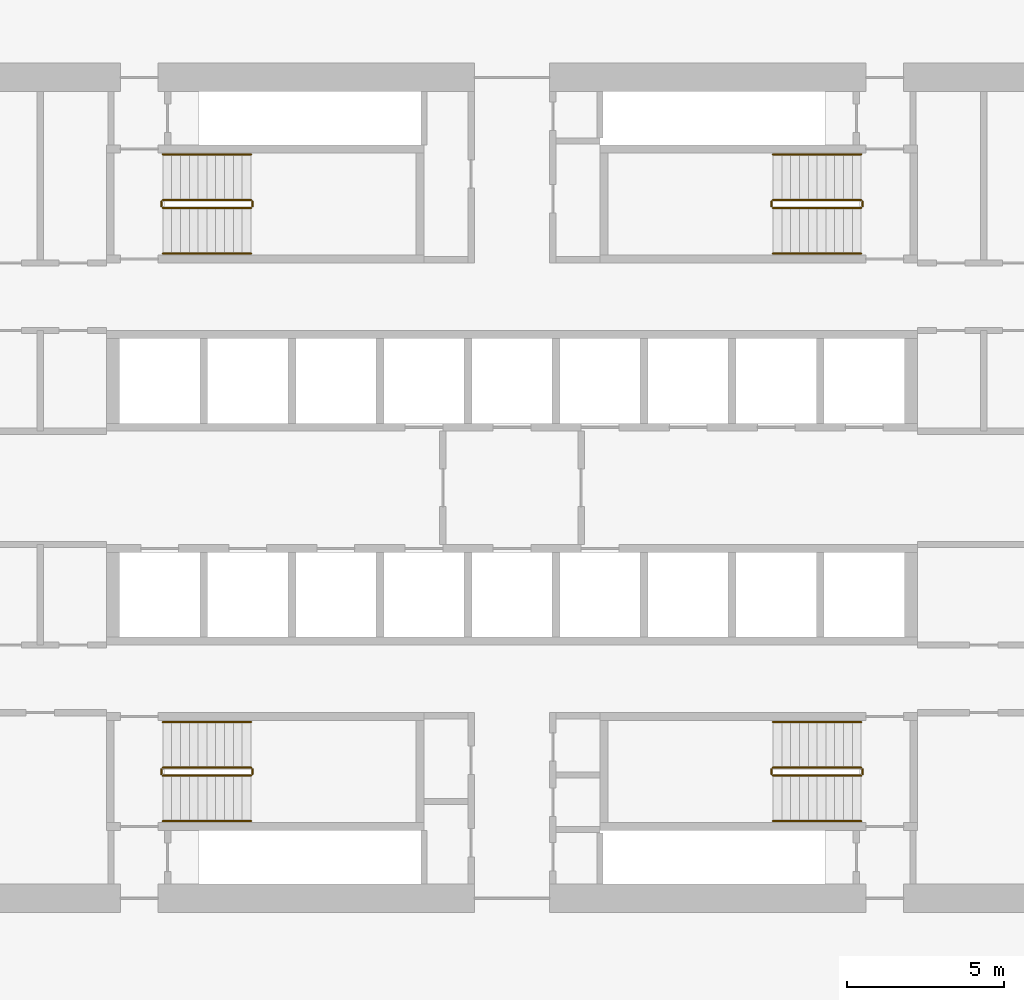
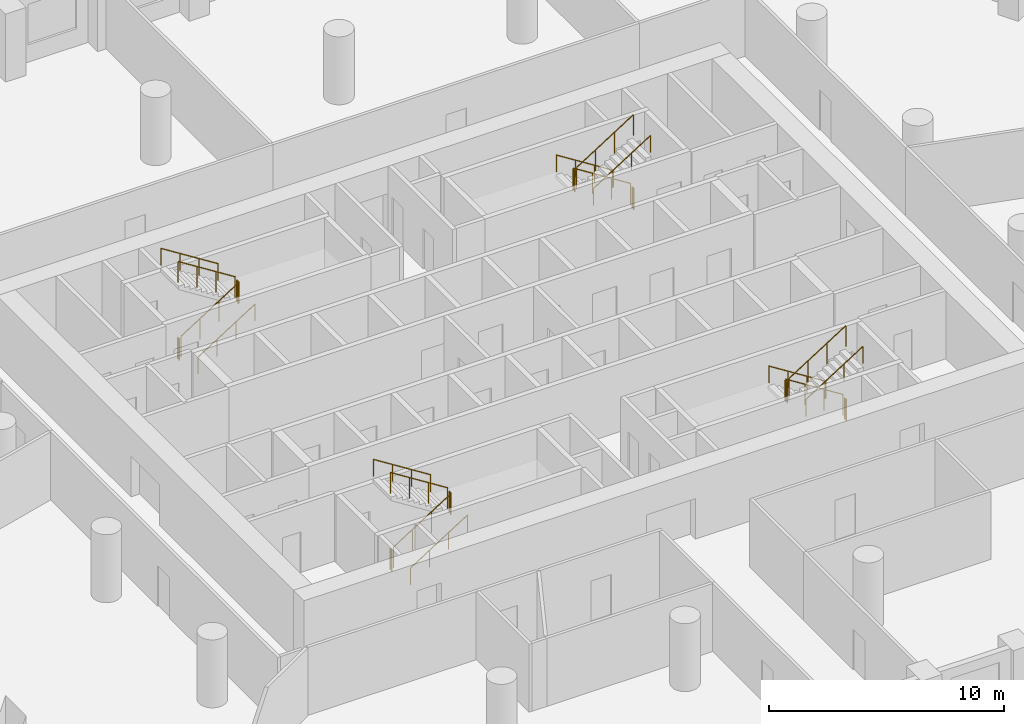
# One storey, part 9 of 9: 24 railings.
"""IFC4 building model written with IfcOpenShell, lengths in metres."""

from ifc_helpers import new_model, si_unit, direction, frame, origin, origin_2d, place, context, subcontext, project, spatial, circle, extrude, material, type_object, element, save


model = new_model("IFC4")

# Units and contexts
model_context = context("Model", 3, precision=1e-05, world=origin(), true_north=direction((0.0, 1.0)))
body_context = subcontext(model_context, "Body", "Model", "MODEL_VIEW")
ifc_project = project(units=[si_unit("LENGTHUNIT", "METRE"), si_unit("AREAUNIT", "SQUARE_METRE"), si_unit("VOLUMEUNIT", "CUBIC_METRE"), si_unit("PLANEANGLEUNIT", "RADIAN"), si_unit("MASSUNIT", "GRAM", prefix="KILO")], contexts=[model_context])

# Site, building, storey
site_placement = place(None, origin())
site = spatial("IfcSite", under=ifc_project, at=site_placement, CompositionType="ELEMENT")
building_placement = place(site_placement, origin())
building = spatial("IfcBuilding", under=site, at=building_placement, Name="Dhurran Vertical Campus", CompositionType="ELEMENT")
storey_placement = place(building_placement, frame((0.0, 0.0, 116.39990234375)))
storey = spatial("IfcBuildingStorey", under=building, at=storey_placement, Name="L28", CompositionType="ELEMENT", Elevation=116.39990234375)

# Railings
ifc_material_1 = material(Name="Stainless steel balustrade", Category="steel")
railing_type_1 = type_object("IfcRailingType", Name="co-RL-GUARD-1100", PredefinedType="GUARDRAIL", material=ifc_material_1)
railing_1_placement = place(storey_placement, frame((-11.10009765625, 8.89990234375, 0.177490234375)))
element("IfcRailing", 1, at=railing_1_placement, inside=storey, type_object=railing_type_1, Name="L28 ST1 stair guard 1", PredefinedType="GUARDRAIL", context=body_context, shape_type="SweptSolid", body=[
    extrude(circle(Radius=0.02392578125, at=origin_2d()), frame((0.0, 0.0, 1.076171875), z_axis=(0.844908973607, 0.0, 0.534910110503), x_axis=(0.0, 1.0, 0.0)), (0.0, 0.0, 1.0), 3.31396484375),
    extrude(circle(Radius=0.02099609375, at=origin_2d()), origin(), (0.0, 0.0, 1.0), 1.052001953125),
    extrude(circle(Radius=0.02099609375, at=origin_2d()), frame((0.933349609375, 0.0, 0.5908203125)), (0.0, 0.0, 1.0), 1.052001953125),
    extrude(circle(Radius=0.02099609375, at=origin_2d()), frame((1.86669921875, 0.0, 1.181884765625)), (0.0, 0.0, 1.0), 1.052001953125),
    extrude(circle(Radius=0.02099609375, at=origin_2d()), frame((2.800048828125, 0.0, 1.772705078125)), (0.0, 0.0, 1.0), 1.052001953125),
])
railing_2_placement = place(storey_placement, frame((-8.25, 8.949951171875, 1.9501953125)))
element("IfcRailing", 2, at=railing_2_placement, inside=storey, type_object=railing_type_1, Name="L28 ST1 stair guard 2", PredefinedType="GUARDRAIL", context=body_context, shape_type="SweptSolid", body=[
    extrude(circle(Radius=0.02392578125, at=origin_2d()), frame((0.0, 0.0, 1.076171875), z_axis=(0.0, 1.0, 0.0), x_axis=(-1.0, 0.0, 0.0)), (0.0, 0.0, 1.0), 0.150146484375),
    extrude(circle(Radius=0.02099609375, at=origin_2d()), origin(), (0.0, 0.0, 1.0), 1.052001953125),
    extrude(circle(Radius=0.02099609375, at=origin_2d()), frame((0.0, 0.150146484375, 0.0)), (0.0, 0.0, 1.0), 1.052001953125),
])
railing_3_placement = place(storey_placement, frame((-8.300048828125, 9.14990234375, 2.12744140625)))
element("IfcRailing", 3, at=railing_3_placement, inside=storey, type_object=railing_type_1, Name="L28 ST1 stair guard 3", PredefinedType="GUARDRAIL", context=body_context, shape_type="SweptSolid", body=[
    extrude(circle(Radius=0.02392578125, at=origin_2d()), frame((0.0, 0.0, 1.076171875), z_axis=(-0.844908973607, 0.0, 0.534910110503), x_axis=(0.0, -1.0, 0.0)), (0.0, 0.0, 1.0), 3.31396484375),
    extrude(circle(Radius=0.02099609375, at=origin_2d()), origin(), (0.0, 0.0, 1.0), 1.052001953125),
    extrude(circle(Radius=0.02099609375, at=origin_2d()), frame((-0.933349609375, 0.0, 0.5908203125)), (0.0, 0.0, 1.0), 1.052001953125),
    extrude(circle(Radius=0.02099609375, at=origin_2d()), frame((-1.86669921875, 0.0, 1.181884765625)), (0.0, 0.0, 1.0), 1.052001953125),
    extrude(circle(Radius=0.02099609375, at=origin_2d()), frame((-2.800048828125, 0.0, 1.772705078125)), (0.0, 0.0, 1.0), 1.052001953125),
])
railing_4_placement = place(storey_placement, frame((-11.14990234375, 8.949951171875, 0.0)))
element("IfcRailing", 4, at=railing_4_placement, inside=storey, type_object=railing_type_1, Name="L28 ST1 stair guard 4", PredefinedType="GUARDRAIL", context=body_context, shape_type="SweptSolid", body=[
    extrude(circle(Radius=0.02392578125, at=origin_2d()), frame((0.0, 0.0, 1.076171875), z_axis=(0.0, 1.0, 0.0), x_axis=(-1.0, 0.0, 0.0)), (0.0, 0.0, 1.0), 0.150146484375),
    extrude(circle(Radius=0.02099609375, at=origin_2d()), origin(), (0.0, 0.0, 1.0), 1.052001953125),
    extrude(circle(Radius=0.02099609375, at=origin_2d()), frame((0.0, 0.150146484375, 0.0)), (0.0, 0.0, 1.0), 1.052001953125),
])
railing_5_placement = place(storey_placement, frame((11.10009765625, 9.14990234375, 0.177490234375)))
element("IfcRailing", 5, at=railing_5_placement, inside=storey, type_object=railing_type_1, Name="L28 ST2 stair guard 1", PredefinedType="GUARDRAIL", context=body_context, shape_type="SweptSolid", body=[
    extrude(circle(Radius=0.02392578125, at=origin_2d()), frame((0.0, 0.0, 1.076171875), z_axis=(-0.844908973607, 0.0, 0.534910110503), x_axis=(0.0, -1.0, 0.0)), (0.0, 0.0, 1.0), 3.31396484375),
    extrude(circle(Radius=0.02099609375, at=origin_2d()), origin(), (0.0, 0.0, 1.0), 1.052001953125),
    extrude(circle(Radius=0.02099609375, at=origin_2d()), frame((-0.933349609375, 0.0, 0.5908203125)), (0.0, 0.0, 1.0), 1.052001953125),
    extrude(circle(Radius=0.02099609375, at=origin_2d()), frame((-1.86669921875, 0.0, 1.181884765625)), (0.0, 0.0, 1.0), 1.052001953125),
    extrude(circle(Radius=0.02099609375, at=origin_2d()), frame((-2.800048828125, 0.0, 1.772705078125)), (0.0, 0.0, 1.0), 1.052001953125),
])
railing_6_placement = place(storey_placement, frame((8.25, 9.10009765625, 1.9501953125)))
element("IfcRailing", 6, at=railing_6_placement, inside=storey, type_object=railing_type_1, Name="L28 ST2 stair guard 2", PredefinedType="GUARDRAIL", context=body_context, shape_type="SweptSolid", body=[
    extrude(circle(Radius=0.02392578125, at=origin_2d()), frame((0.0, 0.0, 1.076171875), z_axis=(0.0, -1.0, 0.0), x_axis=(1.0, 0.0, 0.0)), (0.0, 0.0, 1.0), 0.150146484375),
    extrude(circle(Radius=0.02099609375, at=origin_2d()), origin(), (0.0, 0.0, 1.0), 1.052001953125),
    extrude(circle(Radius=0.02099609375, at=origin_2d()), frame((0.0, -0.150146484375, 0.0)), (0.0, 0.0, 1.0), 1.052001953125),
])
railing_7_placement = place(storey_placement, frame((8.300048828125, 8.89990234375, 2.12744140625)))
element("IfcRailing", 7, at=railing_7_placement, inside=storey, type_object=railing_type_1, Name="L28 ST2 stair guard 3", PredefinedType="GUARDRAIL", context=body_context, shape_type="SweptSolid", body=[
    extrude(circle(Radius=0.02392578125, at=origin_2d()), frame((0.0, 0.0, 1.076171875), z_axis=(0.844908973607, 0.0, 0.534910110503), x_axis=(0.0, 1.0, 0.0)), (0.0, 0.0, 1.0), 3.31396484375),
    extrude(circle(Radius=0.02099609375, at=origin_2d()), origin(), (0.0, 0.0, 1.0), 1.052001953125),
    extrude(circle(Radius=0.02099609375, at=origin_2d()), frame((0.933349609375, 0.0, 0.5908203125)), (0.0, 0.0, 1.0), 1.052001953125),
    extrude(circle(Radius=0.02099609375, at=origin_2d()), frame((1.86669921875, 0.0, 1.181884765625)), (0.0, 0.0, 1.0), 1.052001953125),
    extrude(circle(Radius=0.02099609375, at=origin_2d()), frame((2.800048828125, 0.0, 1.772705078125)), (0.0, 0.0, 1.0), 1.052001953125),
])
railing_8_placement = place(storey_placement, frame((11.14990234375, 9.10009765625, 0.0)))
element("IfcRailing", 8, at=railing_8_placement, inside=storey, type_object=railing_type_1, Name="L28 ST2 stair guard 4", PredefinedType="GUARDRAIL", context=body_context, shape_type="SweptSolid", body=[
    extrude(circle(Radius=0.02392578125, at=origin_2d()), frame((0.0, 0.0, 1.076171875), z_axis=(0.0, -1.0, 0.0), x_axis=(1.0, 0.0, 0.0)), (0.0, 0.0, 1.0), 0.150146484375),
    extrude(circle(Radius=0.02099609375, at=origin_2d()), origin(), (0.0, 0.0, 1.0), 1.052001953125),
    extrude(circle(Radius=0.02099609375, at=origin_2d()), frame((0.0, -0.150146484375, 0.0)), (0.0, 0.0, 1.0), 1.052001953125),
])
railing_9_placement = place(storey_placement, frame((-11.10009765625, -9.14990234375, 0.177490234375)))
element("IfcRailing", 9, at=railing_9_placement, inside=storey, type_object=railing_type_1, Name="L28 ST3 stair guard 1", PredefinedType="GUARDRAIL", context=body_context, shape_type="SweptSolid", body=[
    extrude(circle(Radius=0.02392578125, at=origin_2d()), frame((0.0, 0.0, 1.076171875), z_axis=(0.844908973607, 0.0, 0.534910110503), x_axis=(0.0, 1.0, 0.0)), (0.0, 0.0, 1.0), 3.31396484375),
    extrude(circle(Radius=0.02099609375, at=origin_2d()), origin(), (0.0, 0.0, 1.0), 1.052001953125),
    extrude(circle(Radius=0.02099609375, at=origin_2d()), frame((0.933349609375, 0.0, 0.5908203125)), (0.0, 0.0, 1.0), 1.052001953125),
    extrude(circle(Radius=0.02099609375, at=origin_2d()), frame((1.86669921875, 0.0, 1.181884765625)), (0.0, 0.0, 1.0), 1.052001953125),
    extrude(circle(Radius=0.02099609375, at=origin_2d()), frame((2.800048828125, 0.0, 1.772705078125)), (0.0, 0.0, 1.0), 1.052001953125),
])
railing_10_placement = place(storey_placement, frame((-8.25, -9.10009765625, 1.9501953125)))
element("IfcRailing", 10, at=railing_10_placement, inside=storey, type_object=railing_type_1, Name="L28 ST3 stair guard 2", PredefinedType="GUARDRAIL", context=body_context, shape_type="SweptSolid", body=[
    extrude(circle(Radius=0.02392578125, at=origin_2d()), frame((0.0, 0.0, 1.076171875), z_axis=(0.0, 1.0, 0.0), x_axis=(-1.0, 0.0, 0.0)), (0.0, 0.0, 1.0), 0.150146484375),
    extrude(circle(Radius=0.02099609375, at=origin_2d()), origin(), (0.0, 0.0, 1.0), 1.052001953125),
    extrude(circle(Radius=0.02099609375, at=origin_2d()), frame((0.0, 0.150146484375, 0.0)), (0.0, 0.0, 1.0), 1.052001953125),
])
railing_11_placement = place(storey_placement, frame((-8.300048828125, -8.89990234375, 2.12744140625)))
element("IfcRailing", 11, at=railing_11_placement, inside=storey, type_object=railing_type_1, Name="L28 ST3 stair guard 3", PredefinedType="GUARDRAIL", context=body_context, shape_type="SweptSolid", body=[
    extrude(circle(Radius=0.02392578125, at=origin_2d()), frame((0.0, 0.0, 1.076171875), z_axis=(-0.844908973607, 0.0, 0.534910110503), x_axis=(0.0, -1.0, 0.0)), (0.0, 0.0, 1.0), 3.31396484375),
    extrude(circle(Radius=0.02099609375, at=origin_2d()), origin(), (0.0, 0.0, 1.0), 1.052001953125),
    extrude(circle(Radius=0.02099609375, at=origin_2d()), frame((-0.933349609375, 0.0, 0.5908203125)), (0.0, 0.0, 1.0), 1.052001953125),
    extrude(circle(Radius=0.02099609375, at=origin_2d()), frame((-1.86669921875, 0.0, 1.181884765625)), (0.0, 0.0, 1.0), 1.052001953125),
    extrude(circle(Radius=0.02099609375, at=origin_2d()), frame((-2.800048828125, 0.0, 1.772705078125)), (0.0, 0.0, 1.0), 1.052001953125),
])
railing_12_placement = place(storey_placement, frame((-11.14990234375, -9.10009765625, 0.0)))
element("IfcRailing", 12, at=railing_12_placement, inside=storey, type_object=railing_type_1, Name="L28 ST3 stair guard 4", PredefinedType="GUARDRAIL", context=body_context, shape_type="SweptSolid", body=[
    extrude(circle(Radius=0.02392578125, at=origin_2d()), frame((0.0, 0.0, 1.076171875), z_axis=(0.0, 1.0, 0.0), x_axis=(-1.0, 0.0, 0.0)), (0.0, 0.0, 1.0), 0.150146484375),
    extrude(circle(Radius=0.02099609375, at=origin_2d()), origin(), (0.0, 0.0, 1.0), 1.052001953125),
    extrude(circle(Radius=0.02099609375, at=origin_2d()), frame((0.0, 0.150146484375, 0.0)), (0.0, 0.0, 1.0), 1.052001953125),
])
railing_13_placement = place(storey_placement, frame((11.10009765625, -8.89990234375, 0.177490234375)))
element("IfcRailing", 13, at=railing_13_placement, inside=storey, type_object=railing_type_1, Name="L28 ST4 stair guard 1", PredefinedType="GUARDRAIL", context=body_context, shape_type="SweptSolid", body=[
    extrude(circle(Radius=0.02392578125, at=origin_2d()), frame((0.0, 0.0, 1.076171875), z_axis=(-0.844908973607, 0.0, 0.534910110503), x_axis=(0.0, -1.0, 0.0)), (0.0, 0.0, 1.0), 3.31396484375),
    extrude(circle(Radius=0.02099609375, at=origin_2d()), origin(), (0.0, 0.0, 1.0), 1.052001953125),
    extrude(circle(Radius=0.02099609375, at=origin_2d()), frame((-0.933349609375, 0.0, 0.5908203125)), (0.0, 0.0, 1.0), 1.052001953125),
    extrude(circle(Radius=0.02099609375, at=origin_2d()), frame((-1.86669921875, 0.0, 1.181884765625)), (0.0, 0.0, 1.0), 1.052001953125),
    extrude(circle(Radius=0.02099609375, at=origin_2d()), frame((-2.800048828125, 0.0, 1.772705078125)), (0.0, 0.0, 1.0), 1.052001953125),
])
railing_14_placement = place(storey_placement, frame((8.25, -8.949951171875, 1.9501953125)))
element("IfcRailing", 14, at=railing_14_placement, inside=storey, type_object=railing_type_1, Name="L28 ST4 stair guard 2", PredefinedType="GUARDRAIL", context=body_context, shape_type="SweptSolid", body=[
    extrude(circle(Radius=0.02392578125, at=origin_2d()), frame((0.0, 0.0, 1.076171875), z_axis=(0.0, -1.0, 0.0), x_axis=(1.0, 0.0, 0.0)), (0.0, 0.0, 1.0), 0.150146484375),
    extrude(circle(Radius=0.02099609375, at=origin_2d()), origin(), (0.0, 0.0, 1.0), 1.052001953125),
    extrude(circle(Radius=0.02099609375, at=origin_2d()), frame((0.0, -0.150146484375, 0.0)), (0.0, 0.0, 1.0), 1.052001953125),
])
railing_15_placement = place(storey_placement, frame((8.300048828125, -9.14990234375, 2.12744140625)))
element("IfcRailing", 15, at=railing_15_placement, inside=storey, type_object=railing_type_1, Name="L28 ST4 stair guard 3", PredefinedType="GUARDRAIL", context=body_context, shape_type="SweptSolid", body=[
    extrude(circle(Radius=0.02392578125, at=origin_2d()), frame((0.0, 0.0, 1.076171875), z_axis=(0.844908973607, 0.0, 0.534910110503), x_axis=(0.0, 1.0, 0.0)), (0.0, 0.0, 1.0), 3.31396484375),
    extrude(circle(Radius=0.02099609375, at=origin_2d()), origin(), (0.0, 0.0, 1.0), 1.052001953125),
    extrude(circle(Radius=0.02099609375, at=origin_2d()), frame((0.933349609375, 0.0, 0.5908203125)), (0.0, 0.0, 1.0), 1.052001953125),
    extrude(circle(Radius=0.02099609375, at=origin_2d()), frame((1.86669921875, 0.0, 1.181884765625)), (0.0, 0.0, 1.0), 1.052001953125),
    extrude(circle(Radius=0.02099609375, at=origin_2d()), frame((2.800048828125, 0.0, 1.772705078125)), (0.0, 0.0, 1.0), 1.052001953125),
])
railing_16_placement = place(storey_placement, frame((11.14990234375, -8.949951171875, 0.0)))
element("IfcRailing", 16, at=railing_16_placement, inside=storey, type_object=railing_type_1, Name="L28 ST4 stair guard 4", PredefinedType="GUARDRAIL", context=body_context, shape_type="SweptSolid", body=[
    extrude(circle(Radius=0.02392578125, at=origin_2d()), frame((0.0, 0.0, 1.076171875), z_axis=(0.0, -1.0, 0.0), x_axis=(1.0, 0.0, 0.0)), (0.0, 0.0, 1.0), 0.150146484375),
    extrude(circle(Radius=0.02099609375, at=origin_2d()), origin(), (0.0, 0.0, 1.0), 1.052001953125),
    extrude(circle(Radius=0.02099609375, at=origin_2d()), frame((0.0, -0.150146484375, 0.0)), (0.0, 0.0, 1.0), 1.052001953125),
])
ifc_material_2 = material(Name="Stainless steel handrail", Category="steel")
railing_type_2 = type_object("IfcRailingType", Name="co-RL-HANDRAIL-900", PredefinedType="HANDRAIL", material=ifc_material_2)
railing_17_placement = place(storey_placement, frame((-11.10009765625, 7.449951171875, 0.177490234375)))
element("IfcRailing", 17, at=railing_17_placement, inside=storey, type_object=railing_type_2, Name="L28 ST1 stair handrail 1", PredefinedType="HANDRAIL", context=body_context, shape_type="SweptSolid", body=[
    extrude(circle(Radius=0.02392578125, at=origin_2d()), frame((0.0, 0.0, 0.8759765625), z_axis=(0.844908973607, 0.0, 0.534910110503), x_axis=(0.0, 1.0, 0.0)), (0.0, 0.0, 1.0), 3.31396484375),
    extrude(circle(Radius=0.02099609375, at=origin_2d()), origin(), (0.0, 0.0, 1.0), 0.851806640625),
    extrude(circle(Radius=0.02099609375, at=origin_2d()), frame((0.933349609375, 0.0, 0.5908203125)), (0.0, 0.0, 1.0), 0.851806640625),
    extrude(circle(Radius=0.02099609375, at=origin_2d()), frame((1.86669921875, 0.0, 1.181884765625)), (0.0, 0.0, 1.0), 0.851806640625),
    extrude(circle(Radius=0.02099609375, at=origin_2d()), frame((2.800048828125, 0.0, 1.772705078125)), (0.0, 0.0, 1.0), 0.851806640625),
])
for number, where, name in (
    (18, (-8.300048828125, 10.60009765625, 2.12744140625), "L28 ST1 stair handrail 2"),
    (19, (11.10009765625, 10.60009765625, 0.177490234375), "L28 ST2 stair handrail 1"),
):
    element("IfcRailing", number, at=place(storey_placement, frame(where)), inside=storey, type_object=railing_type_2, Name=name, PredefinedType="HANDRAIL", context=body_context, shape_type="SweptSolid", body=[
        extrude(circle(Radius=0.02392578125, at=origin_2d()), frame((0.0, 0.0, 0.8759765625), z_axis=(-0.844908973607, 0.0, 0.534910110503), x_axis=(0.0, -1.0, 0.0)), (0.0, 0.0, 1.0), 3.31396484375),
        extrude(circle(Radius=0.02099609375, at=origin_2d()), origin(), (0.0, 0.0, 1.0), 0.851806640625),
        extrude(circle(Radius=0.02099609375, at=origin_2d()), frame((-0.933349609375, 0.0, 0.5908203125)), (0.0, 0.0, 1.0), 0.851806640625),
        extrude(circle(Radius=0.02099609375, at=origin_2d()), frame((-1.86669921875, 0.0, 1.181884765625)), (0.0, 0.0, 1.0), 0.851806640625),
        extrude(circle(Radius=0.02099609375, at=origin_2d()), frame((-2.800048828125, 0.0, 1.772705078125)), (0.0, 0.0, 1.0), 0.851806640625),
    ])
for number, where, name in (
    (20, (8.300048828125, 7.449951171875, 2.12744140625), "L28 ST2 stair handrail 2"),
    (21, (-11.10009765625, -10.60009765625, 0.177490234375), "L28 ST3 stair handrail 1"),
):
    element("IfcRailing", number, at=place(storey_placement, frame(where)), inside=storey, type_object=railing_type_2, Name=name, PredefinedType="HANDRAIL", context=body_context, shape_type="SweptSolid", body=[
        extrude(circle(Radius=0.02392578125, at=origin_2d()), frame((0.0, 0.0, 0.8759765625), z_axis=(0.844908973607, 0.0, 0.534910110503), x_axis=(0.0, 1.0, 0.0)), (0.0, 0.0, 1.0), 3.31396484375),
        extrude(circle(Radius=0.02099609375, at=origin_2d()), origin(), (0.0, 0.0, 1.0), 0.851806640625),
        extrude(circle(Radius=0.02099609375, at=origin_2d()), frame((0.933349609375, 0.0, 0.5908203125)), (0.0, 0.0, 1.0), 0.851806640625),
        extrude(circle(Radius=0.02099609375, at=origin_2d()), frame((1.86669921875, 0.0, 1.181884765625)), (0.0, 0.0, 1.0), 0.851806640625),
        extrude(circle(Radius=0.02099609375, at=origin_2d()), frame((2.800048828125, 0.0, 1.772705078125)), (0.0, 0.0, 1.0), 0.851806640625),
    ])
for number, where, name in (
    (22, (-8.300048828125, -7.449951171875, 2.12744140625), "L28 ST3 stair handrail 2"),
    (23, (11.10009765625, -7.449951171875, 0.177490234375), "L28 ST4 stair handrail 1"),
):
    element("IfcRailing", number, at=place(storey_placement, frame(where)), inside=storey, type_object=railing_type_2, Name=name, PredefinedType="HANDRAIL", context=body_context, shape_type="SweptSolid", body=[
        extrude(circle(Radius=0.02392578125, at=origin_2d()), frame((0.0, 0.0, 0.8759765625), z_axis=(-0.844908973607, 0.0, 0.534910110503), x_axis=(0.0, -1.0, 0.0)), (0.0, 0.0, 1.0), 3.31396484375),
        extrude(circle(Radius=0.02099609375, at=origin_2d()), origin(), (0.0, 0.0, 1.0), 0.851806640625),
        extrude(circle(Radius=0.02099609375, at=origin_2d()), frame((-0.933349609375, 0.0, 0.5908203125)), (0.0, 0.0, 1.0), 0.851806640625),
        extrude(circle(Radius=0.02099609375, at=origin_2d()), frame((-1.86669921875, 0.0, 1.181884765625)), (0.0, 0.0, 1.0), 0.851806640625),
        extrude(circle(Radius=0.02099609375, at=origin_2d()), frame((-2.800048828125, 0.0, 1.772705078125)), (0.0, 0.0, 1.0), 0.851806640625),
    ])
railing_18_placement = place(storey_placement, frame((8.300048828125, -10.60009765625, 2.12744140625)))
element("IfcRailing", 24, at=railing_18_placement, inside=storey, type_object=railing_type_2, Name="L28 ST4 stair handrail 2", PredefinedType="HANDRAIL", context=body_context, shape_type="SweptSolid", body=[
    extrude(circle(Radius=0.02392578125, at=origin_2d()), frame((0.0, 0.0, 0.8759765625), z_axis=(0.844908973607, 0.0, 0.534910110503), x_axis=(0.0, 1.0, 0.0)), (0.0, 0.0, 1.0), 3.31396484375),
    extrude(circle(Radius=0.02099609375, at=origin_2d()), origin(), (0.0, 0.0, 1.0), 0.851806640625),
    extrude(circle(Radius=0.02099609375, at=origin_2d()), frame((0.933349609375, 0.0, 0.5908203125)), (0.0, 0.0, 1.0), 0.851806640625),
    extrude(circle(Radius=0.02099609375, at=origin_2d()), frame((1.86669921875, 0.0, 1.181884765625)), (0.0, 0.0, 1.0), 0.851806640625),
    extrude(circle(Radius=0.02099609375, at=origin_2d()), frame((2.800048828125, 0.0, 1.772705078125)), (0.0, 0.0, 1.0), 0.851806640625),
])

save(model, "model.ifc")
